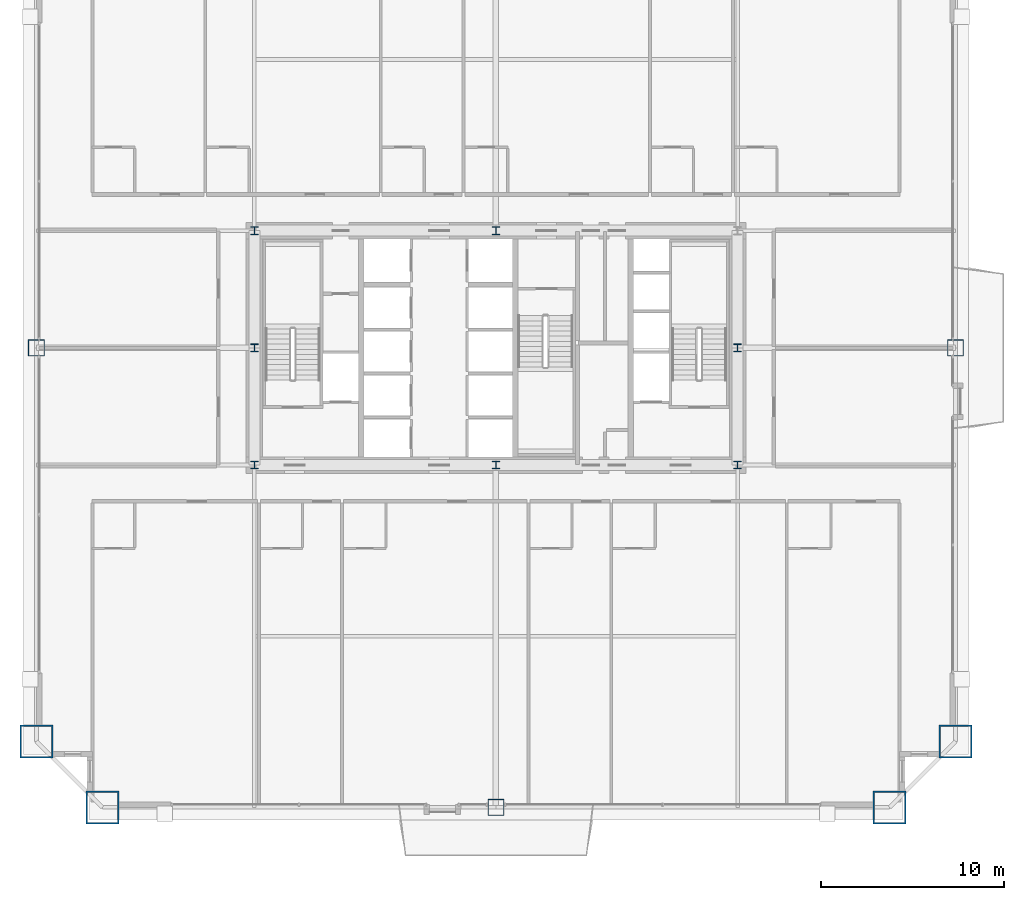
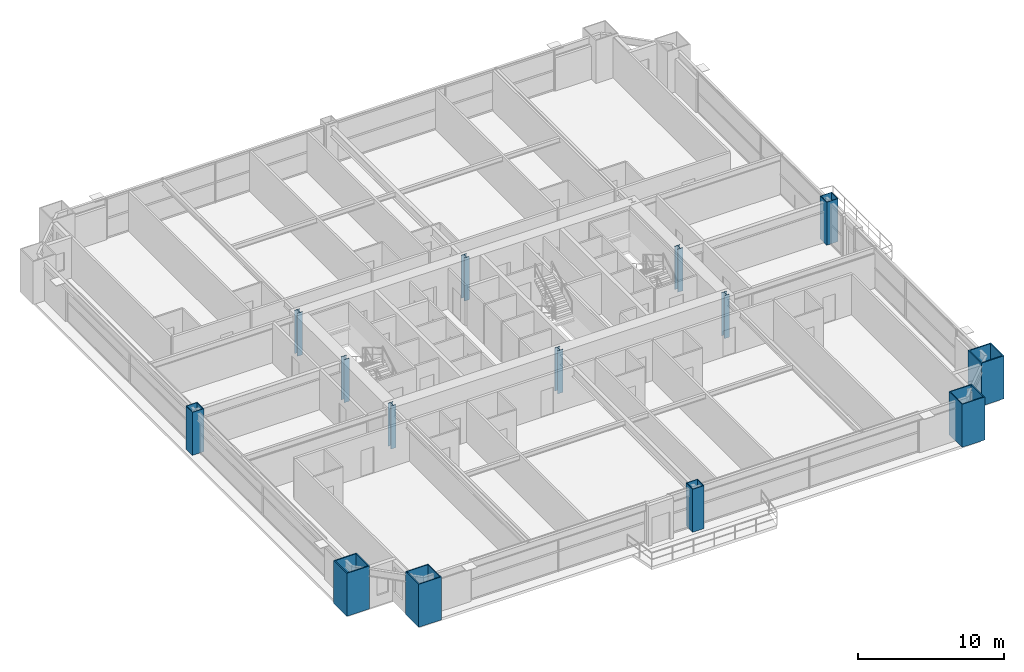
# One storey, part 1 of 43: 14 columns.
"""IFC4 building model written with IfcOpenShell, lengths in metres."""

from ifc_helpers import new_model, si_unit, direction, frame, origin, origin_2d, place, context, subcontext, project, spatial, hollow_rectangle, i_section, extrude, source, transform, mapped, material, material_profile, profile_set, type_object, element, save


model = new_model("IFC4")

# Units and contexts
model_context = context("Model", 3, precision=1e-05, world=origin(), true_north=direction((0.0, 1.0)))
body_context = subcontext(model_context, "Body", "Model", "MODEL_VIEW")
ifc_project = project(units=[si_unit("LENGTHUNIT", "METRE"), si_unit("AREAUNIT", "SQUARE_METRE"), si_unit("VOLUMEUNIT", "CUBIC_METRE"), si_unit("PLANEANGLEUNIT", "RADIAN"), si_unit("MASSUNIT", "GRAM", prefix="KILO"), si_unit("THERMODYNAMICTEMPERATUREUNIT", "KELVIN"), si_unit("POWERUNIT", "WATT")], contexts=[model_context])

# Site, building, storey
site_placement = place(None, origin())
site = spatial("IfcSite", under=ifc_project, at=site_placement, CompositionType="ELEMENT")
building_placement = place(site_placement, origin())
building = spatial("IfcBuilding", under=site, at=building_placement, Name="Yuzanri Waterfront Tower", CompositionType="ELEMENT")
storey_placement = place(building_placement, frame((0.0, 0.0, 71.199951171875)))
storey = spatial("IfcBuildingStorey", under=building, at=storey_placement, Name="L18", CompositionType="ELEMENT", Elevation=71.199951171875)

# Columns
ifc_material_1 = material(Name="Steel Q355B", Category="steel")
ifc_material_profile_1 = material_profile(ifc_material_1, i_section(OverallWidth=0.406982421875, OverallDepth=0.427978515625, WebThickness=0.02001953125, FlangeThickness=0.034912109375, at=origin_2d()), Name="HW 428x407x20x35")
ifc_profile_set_1 = profile_set([ifc_material_profile_1], Name="Steel Q355B")
column_type_1 = type_object("IfcColumnType", Name="Core Post Q355B HW 428x407x20x35", PredefinedType="COLUMN", material=ifc_profile_set_1)
shared_shape_1 = source(origin(), body_context, "Body", "SweptSolid", [
    extrude(i_section(OverallWidth=0.406982421875, OverallDepth=0.427978515625, WebThickness=0.02001953125, FlangeThickness=0.034912109375, at=origin_2d()), origin(), (0.0, 0.0, 1.0), 3.60009765625),
])
for number, where, z_axis, x_axis, name in (
    (1, (23.800048828125, 19.39990234375, 0.0), (0.0, 0.0, 1.0), (1.0, 0.0, 0.0), "L18 Core Boundary Column CP1"),
    (2, (37.0, 19.39990234375, 0.0), (0.0, 0.0, 1.0), (1.0, 0.0, 0.0), "L18 Core Boundary Column CP2"),
    (3, (50.199951171875, 19.39990234375, 0.0), (0.0, 0.0, 1.0), (1.0, 0.0, 0.0), "L18 Core Boundary Column CP3"),
    (4, (23.800048828125, 25.800048828125, 0.0), (0.0, 0.0, 1.0), (1.0, 0.0, 0.0), "L18 Core Boundary Column CP4"),
    (5, (50.199951171875, 25.800048828125, 0.0), (0.0, 0.0, 1.0), (1.0, 0.0, 0.0), "L18 Core Boundary Column CP5"),
    (6, (23.800048828125, 32.199951171875, 0.0), (0.0, 0.0, 1.0), (1.0, 0.0, 0.0), "L18 Core Boundary Column CP6"),
    (7, (37.0, 32.199951171875, 0.0), (0.0, 0.0, 1.0), (1.0, 0.0, 0.0), "L18 Core Boundary Column CP7"),
):
    element("IfcColumn", number, at=place(storey_placement, frame(where, z_axis=z_axis, x_axis=x_axis)), inside=storey, type_object=column_type_1, Name=name, PredefinedType="COLUMN", context=body_context, shape_type="MappedRepresentation", body=[
        mapped(shared_shape_1, transform((0.0, 0.0, 0.0), scale=1.0)),
    ])
ifc_material_2 = material(Name="Steel Q420GJC", Category="steel")
ifc_material_profile_2 = material_profile(ifc_material_2, hollow_rectangle(XDim=1.800048828125, YDim=1.800048828125, WallThickness=0.080078125, at=origin_2d()), Name="RHS 1800x1800x80")
ifc_profile_set_2 = profile_set([ifc_material_profile_2], Name="Steel Q420GJC")
column_type_2 = type_object("IfcColumnType", Name="Mega Column Q420GJC RHS 1800x1800x80", PredefinedType="COLUMN", material=ifc_profile_set_2)
shared_shape_2 = source(origin(), body_context, "Body", "SweptSolid", [
    extrude(hollow_rectangle(XDim=1.800048828125, YDim=1.800048828125, WallThickness=0.080078125, at=origin_2d()), origin(), (0.0, 0.0, 1.0), 3.60009765625),
])
for number, where, z_axis, x_axis, name in (
    (8, (15.5, 0.699951171875, 0.0), (0.0, 0.0, 1.0), (1.0, 0.0, 0.0), "L18 Perimeter Mega Column S1"),
    (9, (58.5, 0.699951171875, 0.0), (0.0, 0.0, 1.0), (1.0, 0.0, 0.0), "L18 Perimeter Mega Column S3"),
    (10, (11.89990234375, 4.300048828125, 0.0), (0.0, 0.0, 1.0), (1.0, 0.0, 0.0), "L18 Perimeter Mega Column W1"),
    (11, (62.10009765625, 4.300048828125, 0.0), (0.0, 0.0, 1.0), (1.0, 0.0, 0.0), "L18 Perimeter Mega Column E1"),
):
    element("IfcColumn", number, at=place(storey_placement, frame(where, z_axis=z_axis, x_axis=x_axis)), inside=storey, type_object=column_type_2, Name=name, PredefinedType="COLUMN", context=body_context, shape_type="MappedRepresentation", body=[
        mapped(shared_shape_2, transform((0.0, 0.0, 0.0), scale=1.0)),
    ])
ifc_material_3 = material(Name="Steel Q390GJC", Category="steel")
ifc_material_profile_3 = material_profile(ifc_material_3, hollow_rectangle(XDim=0.89990234375, YDim=0.89990234375, WallThickness=0.0419921875, at=origin_2d()), Name="RHS 900x900x42")
ifc_profile_set_3 = profile_set([ifc_material_profile_3], Name="Steel Q390GJC")
column_type_3 = type_object("IfcColumnType", Name="Frame Column Q390GJC RHS 900x900x42", PredefinedType="COLUMN", material=ifc_profile_set_3)
shared_shape_3 = source(origin(), body_context, "Body", "SweptSolid", [
    extrude(hollow_rectangle(XDim=0.89990234375, YDim=0.89990234375, WallThickness=0.0419921875, at=origin_2d()), origin(), (0.0, 0.0, 1.0), 3.60009765625),
])
for number, where, z_axis, x_axis, name in (
    (12, (37.0, 0.699951171875, 0.0), (0.0, 0.0, 1.0), (1.0, 0.0, 0.0), "L18 Perimeter Frame Column S2"),
    (13, (11.89990234375, 25.800048828125, 0.0), (0.0, 0.0, 1.0), (1.0, 0.0, 0.0), "L18 Perimeter Frame Column W2"),
    (14, (62.10009765625, 25.800048828125, 0.0), (0.0, 0.0, 1.0), (1.0, 0.0, 0.0), "L18 Perimeter Frame Column E2"),
):
    element("IfcColumn", number, at=place(storey_placement, frame(where, z_axis=z_axis, x_axis=x_axis)), inside=storey, type_object=column_type_3, Name=name, PredefinedType="COLUMN", context=body_context, shape_type="MappedRepresentation", body=[
        mapped(shared_shape_3, transform((0.0, 0.0, 0.0), scale=1.0)),
    ])

save(model, "model.ifc")
